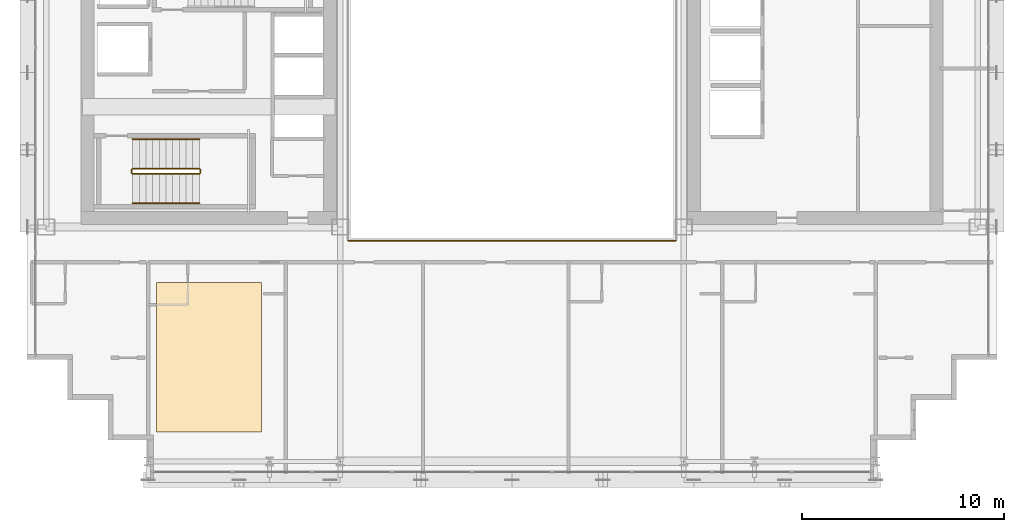
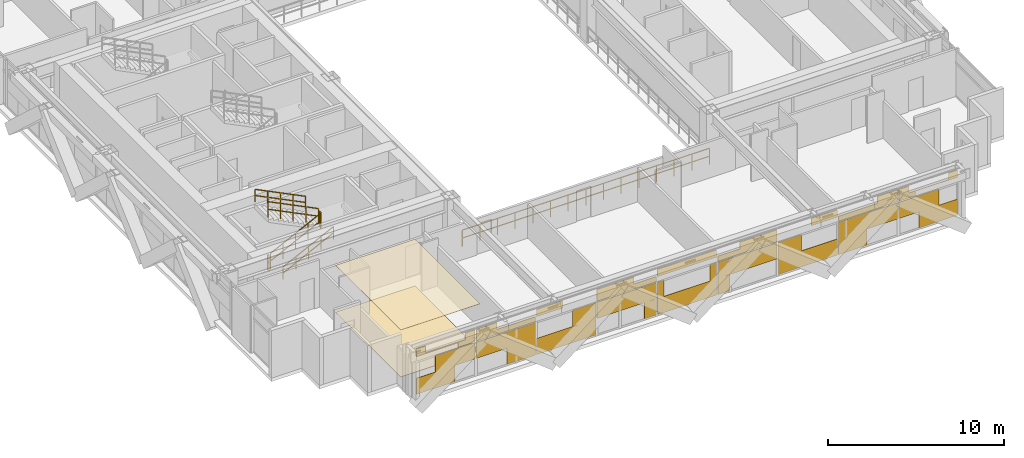
# One storey, part 33 of 36: 7 railings, 3 coverings.
"""IFC4 building model written with IfcOpenShell, lengths in metres."""

from ifc_helpers import new_model, si_unit, direction, frame, origin, origin_2d, place, context, subcontext, project, spatial, polyline, rectangle, outline, extrude, material, layer, layer_set, type_object, element, save


model = new_model("IFC4")

# Units and contexts
model_context = context("Model", 3, precision=1e-05, world=origin(), true_north=direction((0.0, 1.0)))
body_context = subcontext(model_context, "Body", "Model", "MODEL_VIEW")
ifc_project = project(units=[si_unit("LENGTHUNIT", "METRE"), si_unit("AREAUNIT", "SQUARE_METRE"), si_unit("VOLUMEUNIT", "CUBIC_METRE"), si_unit("PLANEANGLEUNIT", "RADIAN"), si_unit("MASSUNIT", "GRAM", prefix="KILO")], contexts=[model_context])

# Site, building, storey
site_placement = place(None, origin())
site = spatial("IfcSite", under=ifc_project, at=site_placement, CompositionType="ELEMENT")
building_placement = place(site_placement, origin())
building = spatial("IfcBuilding", under=site, at=building_placement, Name="Ocotamira Hotel", CompositionType="ELEMENT")
storey_placement = place(building_placement, frame((0.0, 0.0, 147.60009765625)))
storey = spatial("IfcBuildingStorey", under=building, at=storey_placement, Name="L37", CompositionType="ELEMENT", Elevation=147.60009765625)

# Coverings
ifc_material_1 = material(Name="Perforated acoustic gypsum ceiling board", Category="gypsum")
ifc_layer_1 = layer(ifc_material_1, 0.02490234375)
ifc_layer_set_1 = layer_set([ifc_layer_1], Name="Perforated acoustic gypsum ceiling board")
covering_type_1 = type_object("IfcCoveringType", Name="COV-CEIL-25", PredefinedType="CEILING", material=ifc_layer_set_1)
covering_1_placement = place(storey_placement, frame((0.0, 0.0, 3.2548828125)))
element("IfcCovering", 1, at=covering_1_placement, inside=storey, type_object=covering_type_1, Name="L37 Acoustic Ceiling", PredefinedType="CEILING", context=body_context, shape_type="SweptSolid", body=[
    extrude(outline(polyline([(14.39990234375, 4.39990234375), (19.60009765625, 4.39990234375), (19.60009765625, 11.800048828125), (14.39990234375, 11.800048828125), (14.39990234375, 4.39990234375)])), origin(), (0.0, 0.0, 1.0), 0.02490234375),
])
ifc_material_2 = material(Name="Honed desert travertine stone flooring", Category="masonry")
ifc_layer_2 = layer(ifc_material_2, 0.030029296875)
ifc_layer_set_2 = layer_set([ifc_layer_2], Name="Honed desert travertine stone flooring")
covering_type_2 = type_object("IfcCoveringType", Name="COV-FLOR-30", PredefinedType="FLOORING", material=ifc_layer_set_2)
covering_2_placement = place(storey_placement, origin())
element("IfcCovering", 2, at=covering_2_placement, inside=storey, type_object=covering_type_2, Name="L37 Honed Stone Floor Finish", PredefinedType="FLOORING", context=body_context, shape_type="SweptSolid", body=[
    extrude(outline(polyline([(14.39990234375, 4.39990234375), (19.60009765625, 4.39990234375), (19.60009765625, 11.800048828125), (14.39990234375, 11.800048828125), (14.39990234375, 4.39990234375)])), origin(), (0.0, 0.0, 1.0), 0.02978515625),
])
ifc_material_3 = material(Name="Insulated pale-metal aluminium spandrel panel", Category="aluminium")
ifc_layer_3 = layer(ifc_material_3, 0.044921875)
ifc_layer_set_3 = layer_set([ifc_layer_3], Name="Insulated pale-metal aluminium spandrel panel")
covering_type_3 = type_object("IfcCoveringType", Name="COV-INFILL-45", PredefinedType="CLADDING", material=ifc_layer_set_3)
covering_3_placement = place(storey_placement, origin())
element("IfcCovering", 3, at=covering_3_placement, inside=storey, type_object=covering_type_3, Name="L37 Curtain Wall Infill CW-3 CW-L37-S1", PredefinedType="CLADDING", context=body_context, shape_type="SweptSolid", body=[
    extrude(rectangle(XDim=2.520751953125, YDim=0.044921875, at=origin_2d()), frame((15.541015625, 2.419921875, 0.075439453125), z_axis=(0.0, 0.0, 1.0), x_axis=(1.0, 0.0, 0.0)), (0.0, 0.0, 1.0), 1.11767578125),
    extrude(rectangle(XDim=2.611328125, YDim=0.044921875, at=origin_2d()), frame((16.809326171875, 2.419921875, 1.19384765625), z_axis=(0.0, 0.0, 1.0), x_axis=(1.0, 0.0, 0.0)), (0.0, 0.0, 1.0), 1.117919921875),
    extrude(rectangle(XDim=3.834716796875, YDim=0.044921875, at=origin_2d()), frame((16.19775390625, 2.419921875, 2.703125), z_axis=(0.0, 0.0, 1.0), x_axis=(1.0, 0.0, 0.0)), (0.0, 0.0, 1.0), 0.026611328125),
    extrude(rectangle(XDim=0.57470703125, YDim=0.044921875, at=origin_2d()), frame((14.56787109375, 2.419921875, 2.730712890625), z_axis=(0.0, 0.0, 1.0), x_axis=(1.0, 0.0, 0.0)), (0.0, 0.0, 1.0), 0.4736328125),
    extrude(rectangle(XDim=1.085205078125, YDim=0.044921875, at=origin_2d()), frame((17.572509765625, 2.419921875, 2.3876953125), z_axis=(0.0, 0.0, 1.0), x_axis=(1.0, 0.0, 0.0)), (0.0, 0.0, 1.0), 0.314208984375),
    extrude(rectangle(XDim=0.64697265625, YDim=0.044921875, at=origin_2d()), frame((17.79150390625, 2.419921875, 2.730712890625), z_axis=(0.0, 0.0, 1.0), x_axis=(1.0, 0.0, 0.0)), (0.0, 0.0, 1.0), 0.4736328125),
    extrude(rectangle(XDim=3.87451171875, YDim=0.044921875, at=origin_2d()), frame((20.13330078125, 2.419921875, 1.19384765625), z_axis=(0.0, 0.0, 1.0), x_axis=(1.0, 0.0, 0.0)), (0.0, 0.0, 1.0), 1.117919921875),
    extrude(rectangle(XDim=1.871826171875, YDim=0.044921875, at=origin_2d()), frame((21.134765625, 2.419921875, 0.075439453125), z_axis=(0.0, 0.0, 1.0), x_axis=(1.0, 0.0, 0.0)), (0.0, 0.0, 1.0), 1.11767578125),
    extrude(rectangle(XDim=3.87451171875, YDim=0.044921875, at=origin_2d()), frame((20.13330078125, 2.419921875, 2.387939453125), z_axis=(0.0, 0.0, 1.0), x_axis=(1.0, 0.0, 0.0)), (0.0, 0.0, 1.0), 0.341796875),
    extrude(rectangle(XDim=1.335693359375, YDim=0.044921875, at=origin_2d()), frame((18.864013671875, 2.419921875, 2.730712890625), z_axis=(0.0, 0.0, 1.0), x_axis=(1.0, 0.0, 0.0)), (0.0, 0.0, 1.0), 0.4736328125),
    extrude(rectangle(XDim=3.87451171875, YDim=0.044921875, at=origin_2d()), frame((24.0888671875, 2.419921875, 0.075439453125), z_axis=(0.0, 0.0, 1.0), x_axis=(1.0, 0.0, 0.0)), (0.0, 0.0, 1.0), 1.11767578125),
    extrude(rectangle(XDim=1.5224609375, YDim=0.044921875, at=origin_2d()), frame((25.264892578125, 2.419921875, 1.19384765625), z_axis=(0.0, 0.0, 1.0), x_axis=(1.0, 0.0, 0.0)), (0.0, 0.0, 1.0), 1.117919921875),
    extrude(rectangle(XDim=1.70361328125, YDim=0.044921875, at=origin_2d()), frame((23.00341796875, 2.419921875, 2.703125), z_axis=(0.0, 0.0, 1.0), x_axis=(1.0, 0.0, 0.0)), (0.0, 0.0, 1.0), 0.501220703125),
    extrude(rectangle(XDim=3.87451171875, YDim=0.044921875, at=origin_2d()), frame((28.04443359375, 2.419921875, 1.19384765625), z_axis=(0.0, 0.0, 1.0), x_axis=(1.0, 0.0, 0.0)), (0.0, 0.0, 1.0), 1.117919921875),
    extrude(rectangle(XDim=0.782958984375, YDim=0.044921875, at=origin_2d()), frame((29.590087890625, 2.419921875, 0.075439453125), z_axis=(0.0, 0.0, 1.0), x_axis=(1.0, 0.0, 0.0)), (0.0, 0.0, 1.0), 1.11767578125),
    extrude(rectangle(XDim=3.87451171875, YDim=0.044921875, at=origin_2d()), frame((28.04443359375, 2.419921875, 2.387939453125), z_axis=(0.0, 0.0, 1.0), x_axis=(1.0, 0.0, 0.0)), (0.0, 0.0, 1.0), 0.341796875),
    extrude(rectangle(XDim=2.424560546875, YDim=0.044921875, at=origin_2d()), frame((27.319580078125, 2.419921875, 2.730712890625), z_axis=(0.0, 0.0, 1.0), x_axis=(1.0, 0.0, 0.0)), (0.0, 0.0, 1.0), 0.4736328125),
    extrude(rectangle(XDim=3.87451171875, YDim=0.044921875, at=origin_2d()), frame((32.0, 2.419921875, 0.075439453125), z_axis=(0.0, 0.0, 1.0), x_axis=(1.0, 0.0, 0.0)), (0.0, 0.0, 1.0), 1.11767578125),
    extrude(rectangle(XDim=0.43359375, YDim=0.044921875, at=origin_2d()), frame((30.279541015625, 2.419921875, 1.19384765625), z_axis=(0.0, 0.0, 1.0), x_axis=(1.0, 0.0, 0.0)), (0.0, 0.0, 1.0), 1.117919921875),
    extrude(rectangle(XDim=0.43359375, YDim=0.044921875, at=origin_2d()), frame((33.720458984375, 2.419921875, 1.19384765625), z_axis=(0.0, 0.0, 1.0), x_axis=(1.0, 0.0, 0.0)), (0.0, 0.0, 1.0), 1.117919921875),
    extrude(rectangle(XDim=3.87451171875, YDim=0.044921875, at=origin_2d()), frame((32.0, 2.419921875, 2.703125), z_axis=(0.0, 0.0, 1.0), x_axis=(1.0, 0.0, 0.0)), (0.0, 0.0, 1.0), 0.501220703125),
    extrude(rectangle(XDim=0.782958984375, YDim=0.044921875, at=origin_2d()), frame((34.409912109375, 2.419921875, 0.075439453125), z_axis=(0.0, 0.0, 1.0), x_axis=(1.0, 0.0, 0.0)), (0.0, 0.0, 1.0), 1.11767578125),
    extrude(rectangle(XDim=3.87451171875, YDim=0.044921875, at=origin_2d()), frame((35.95556640625, 2.419921875, 1.19384765625), z_axis=(0.0, 0.0, 1.0), x_axis=(1.0, 0.0, 0.0)), (0.0, 0.0, 1.0), 1.117919921875),
    extrude(rectangle(XDim=3.87451171875, YDim=0.044921875, at=origin_2d()), frame((35.95556640625, 2.419921875, 2.387939453125), z_axis=(0.0, 0.0, 1.0), x_axis=(1.0, 0.0, 0.0)), (0.0, 0.0, 1.0), 0.341796875),
    extrude(rectangle(XDim=2.424560546875, YDim=0.044921875, at=origin_2d()), frame((36.680419921875, 2.419921875, 2.730712890625), z_axis=(0.0, 0.0, 1.0), x_axis=(1.0, 0.0, 0.0)), (0.0, 0.0, 1.0), 0.4736328125),
    extrude(rectangle(XDim=3.87451171875, YDim=0.044921875, at=origin_2d()), frame((39.9111328125, 2.419921875, 0.075439453125), z_axis=(0.0, 0.0, 1.0), x_axis=(1.0, 0.0, 0.0)), (0.0, 0.0, 1.0), 1.11767578125),
    extrude(rectangle(XDim=1.5224609375, YDim=0.044921875, at=origin_2d()), frame((38.735107421875, 2.419921875, 1.19384765625), z_axis=(0.0, 0.0, 1.0), x_axis=(1.0, 0.0, 0.0)), (0.0, 0.0, 1.0), 1.117919921875),
    extrude(rectangle(XDim=1.70361328125, YDim=0.044921875, at=origin_2d()), frame((40.99658203125, 2.419921875, 2.703125), z_axis=(0.0, 0.0, 1.0), x_axis=(1.0, 0.0, 0.0)), (0.0, 0.0, 1.0), 0.501220703125),
    extrude(rectangle(XDim=1.871826171875, YDim=0.044921875, at=origin_2d()), frame((42.865234375, 2.419921875, 0.075439453125), z_axis=(0.0, 0.0, 1.0), x_axis=(1.0, 0.0, 0.0)), (0.0, 0.0, 1.0), 1.11767578125),
    extrude(rectangle(XDim=3.87451171875, YDim=0.044921875, at=origin_2d()), frame((43.86669921875, 2.419921875, 1.19384765625), z_axis=(0.0, 0.0, 1.0), x_axis=(1.0, 0.0, 0.0)), (0.0, 0.0, 1.0), 1.117919921875),
    extrude(rectangle(XDim=3.87451171875, YDim=0.044921875, at=origin_2d()), frame((43.86669921875, 2.419921875, 2.387939453125), z_axis=(0.0, 0.0, 1.0), x_axis=(1.0, 0.0, 0.0)), (0.0, 0.0, 1.0), 0.341796875),
    extrude(rectangle(XDim=1.335693359375, YDim=0.044921875, at=origin_2d()), frame((45.135986328125, 2.419921875, 2.730712890625), z_axis=(0.0, 0.0, 1.0), x_axis=(1.0, 0.0, 0.0)), (0.0, 0.0, 1.0), 0.4736328125),
    extrude(rectangle(XDim=2.611328125, YDim=0.044921875, at=origin_2d()), frame((47.190673828125, 2.419921875, 1.19384765625), z_axis=(0.0, 0.0, 1.0), x_axis=(1.0, 0.0, 0.0)), (0.0, 0.0, 1.0), 1.117919921875),
    extrude(rectangle(XDim=2.520751953125, YDim=0.044921875, at=origin_2d()), frame((48.458984375, 2.419921875, 0.075439453125), z_axis=(0.0, 0.0, 1.0), x_axis=(1.0, 0.0, 0.0)), (0.0, 0.0, 1.0), 1.11767578125),
    extrude(rectangle(XDim=1.085205078125, YDim=0.044921875, at=origin_2d()), frame((46.427490234375, 2.419921875, 2.3876953125), z_axis=(0.0, 0.0, 1.0), x_axis=(1.0, 0.0, 0.0)), (0.0, 0.0, 1.0), 0.314208984375),
    extrude(rectangle(XDim=3.834716796875, YDim=0.044921875, at=origin_2d()), frame((47.80224609375, 2.419921875, 2.703125), z_axis=(0.0, 0.0, 1.0), x_axis=(1.0, 0.0, 0.0)), (0.0, 0.0, 1.0), 0.026611328125),
    extrude(rectangle(XDim=0.64697265625, YDim=0.044921875, at=origin_2d()), frame((46.20849609375, 2.419921875, 2.730712890625), z_axis=(0.0, 0.0, 1.0), x_axis=(1.0, 0.0, 0.0)), (0.0, 0.0, 1.0), 0.4736328125),
    extrude(rectangle(XDim=0.57470703125, YDim=0.044921875, at=origin_2d()), frame((49.43212890625, 2.419921875, 2.730712890625), z_axis=(0.0, 0.0, 1.0), x_axis=(1.0, 0.0, 0.0)), (0.0, 0.0, 1.0), 0.4736328125),
])

# Railings
ifc_material_4 = material(Name="Painted steel stair guardrail", Category="steel")
railing_type_1 = type_object("IfcRailingType", Name="RL-EDGE-1150", PredefinedType="GUARDRAIL", material=ifc_material_4)
railing_1_placement = place(storey_placement, frame((23.89990234375, 13.8798828125, 0.0)))
element("IfcRailing", 4, at=railing_1_placement, inside=storey, type_object=railing_type_1, Name="L37 Central Atrium Edge Guardrail S", PredefinedType="GUARDRAIL", context=body_context, shape_type="SweptSolid", body=[
    extrude(rectangle(XDim=0.048095703125, YDim=0.048095703125, at=origin_2d()), frame((0.0, 0.0, 1.1259765625), z_axis=(1.0, 0.0, 0.0), x_axis=(0.0, 1.0, 0.0)), (0.0, 0.0, 1.0), 16.2001953125),
    extrude(rectangle(XDim=0.048095703125, YDim=0.048095703125, at=origin_2d()), frame((0.0, 0.0, 0.574951171875), z_axis=(1.0, 0.0, 0.0), x_axis=(0.0, 1.0, 0.0)), (0.0, 0.0, 1.0), 16.2001953125),
    extrude(rectangle(XDim=0.0419921875, YDim=0.0419921875, at=origin_2d()), origin(), (0.0, 0.0, 1.0), 1.101806640625),
    extrude(rectangle(XDim=0.0419921875, YDim=0.0419921875, at=origin_2d()), frame((1.1572265625, 0.0, 0.0)), (0.0, 0.0, 1.0), 1.101806640625),
    extrude(rectangle(XDim=0.0419921875, YDim=0.0419921875, at=origin_2d()), frame((2.314208984375, 0.0, 0.0)), (0.0, 0.0, 1.0), 1.101806640625),
    extrude(rectangle(XDim=0.0419921875, YDim=0.0419921875, at=origin_2d()), frame((3.471435546875, 0.0, 0.0)), (0.0, 0.0, 1.0), 1.101806640625),
    extrude(rectangle(XDim=0.0419921875, YDim=0.0419921875, at=origin_2d()), frame((4.628662109375, 0.0, 0.0)), (0.0, 0.0, 1.0), 1.101806640625),
    extrude(rectangle(XDim=0.0419921875, YDim=0.0419921875, at=origin_2d()), frame((5.785888671875, 0.0, 0.0)), (0.0, 0.0, 1.0), 1.101806640625),
    extrude(rectangle(XDim=0.0419921875, YDim=0.0419921875, at=origin_2d()), frame((6.94287109375, 0.0, 0.0)), (0.0, 0.0, 1.0), 1.101806640625),
    extrude(rectangle(XDim=0.0419921875, YDim=0.0419921875, at=origin_2d()), frame((8.10009765625, 0.0, 0.0)), (0.0, 0.0, 1.0), 1.101806640625),
    extrude(rectangle(XDim=0.0419921875, YDim=0.0419921875, at=origin_2d()), frame((9.25732421875, 0.0, 0.0)), (0.0, 0.0, 1.0), 1.101806640625),
    extrude(rectangle(XDim=0.0419921875, YDim=0.0419921875, at=origin_2d()), frame((10.414306640625, 0.0, 0.0)), (0.0, 0.0, 1.0), 1.101806640625),
    extrude(rectangle(XDim=0.0419921875, YDim=0.0419921875, at=origin_2d()), frame((11.571533203125, 0.0, 0.0)), (0.0, 0.0, 1.0), 1.101806640625),
    extrude(rectangle(XDim=0.0419921875, YDim=0.0419921875, at=origin_2d()), frame((12.728759765625, 0.0, 0.0)), (0.0, 0.0, 1.0), 1.101806640625),
    extrude(rectangle(XDim=0.0419921875, YDim=0.0419921875, at=origin_2d()), frame((13.885986328125, 0.0, 0.0)), (0.0, 0.0, 1.0), 1.101806640625),
    extrude(rectangle(XDim=0.0419921875, YDim=0.0419921875, at=origin_2d()), frame((15.04296875, 0.0, 0.0)), (0.0, 0.0, 1.0), 1.101806640625),
    extrude(rectangle(XDim=0.0419921875, YDim=0.0419921875, at=origin_2d()), frame((16.2001953125, 0.0, 0.0)), (0.0, 0.0, 1.0), 1.101806640625),
])
ifc_material_5 = material(Name="Brushed stainless steel handrail", Category="steel")
railing_type_2 = type_object("IfcRailingType", Name="RL-HAND-900", PredefinedType="HANDRAIL", material=ifc_material_5)
railing_2_placement = place(storey_placement, frame((13.22998046875, 15.719970703125, 0.3271484375)))
element("IfcRailing", 5, at=railing_2_placement, inside=storey, type_object=railing_type_2, Name="L37 ST-1 stair handrail 1", PredefinedType="HANDRAIL", context=body_context, shape_type="SweptSolid", body=[
    extrude(rectangle(XDim=0.048095703125, YDim=0.048095703125, at=origin_2d()), frame((0.0, 0.0, 0.8759765625), z_axis=(0.895893744519, 0.0, 0.4442683857), x_axis=(0.0, 1.0, 0.0)), (0.0, 0.0, 1.0), 3.68359375),
    extrude(rectangle(XDim=0.048095703125, YDim=0.048095703125, at=origin_2d()), frame((0.0, 0.0, 0.449951171875), z_axis=(0.895893744519, 0.0, 0.4442683857), x_axis=(0.0, 1.0, 0.0)), (0.0, 0.0, 1.0), 3.68359375),
    extrude(rectangle(XDim=0.0419921875, YDim=0.0419921875, at=origin_2d()), origin(), (0.0, 0.0, 1.0), 0.851806640625),
    extrude(rectangle(XDim=0.0419921875, YDim=0.0419921875, at=origin_2d()), frame((0.824951171875, 0.0, 0.4091796875)), (0.0, 0.0, 1.0), 0.851806640625),
    extrude(rectangle(XDim=0.0419921875, YDim=0.0419921875, at=origin_2d()), frame((1.64990234375, 0.0, 0.818359375)), (0.0, 0.0, 1.0), 0.851806640625),
    extrude(rectangle(XDim=0.0419921875, YDim=0.0419921875, at=origin_2d()), frame((2.47509765625, 0.0, 1.227294921875)), (0.0, 0.0, 1.0), 0.851806640625),
    extrude(rectangle(XDim=0.0419921875, YDim=0.0419921875, at=origin_2d()), frame((3.300048828125, 0.0, 1.636474609375)), (0.0, 0.0, 1.0), 0.851806640625),
])
railing_3_placement = place(storey_placement, frame((16.530029296875, 18.89990234375, 2.127197265625)))
element("IfcRailing", 6, at=railing_3_placement, inside=storey, type_object=railing_type_2, Name="L37 ST-1 stair handrail 2", PredefinedType="HANDRAIL", context=body_context, shape_type="SweptSolid", body=[
    extrude(rectangle(XDim=0.048095703125, YDim=0.048095703125, at=origin_2d()), frame((0.0, 0.0, 0.8759765625), z_axis=(-0.895920123917, 0.0, 0.444215186098), x_axis=(0.0, -1.0, 0.0)), (0.0, 0.0, 1.0), 3.683349609375),
    extrude(rectangle(XDim=0.048095703125, YDim=0.048095703125, at=origin_2d()), frame((0.0, 0.0, 0.449951171875), z_axis=(-0.895920123917, 0.0, 0.444215186098), x_axis=(0.0, -1.0, 0.0)), (0.0, 0.0, 1.0), 3.683349609375),
    extrude(rectangle(XDim=0.0419921875, YDim=0.0419921875, at=origin_2d()), origin(), (0.0, 0.0, 1.0), 0.851806640625),
    extrude(rectangle(XDim=0.0419921875, YDim=0.0419921875, at=origin_2d()), frame((-0.824951171875, 0.0, 0.4091796875)), (0.0, 0.0, 1.0), 0.851806640625),
    extrude(rectangle(XDim=0.0419921875, YDim=0.0419921875, at=origin_2d()), frame((-1.64990234375, 0.0, 0.818115234375)), (0.0, 0.0, 1.0), 0.851806640625),
    extrude(rectangle(XDim=0.0419921875, YDim=0.0419921875, at=origin_2d()), frame((-2.47509765625, 0.0, 1.22705078125)), (0.0, 0.0, 1.0), 0.851806640625),
    extrude(rectangle(XDim=0.0419921875, YDim=0.0419921875, at=origin_2d()), frame((-3.300048828125, 0.0, 1.63623046875)), (0.0, 0.0, 1.0), 0.851806640625),
])
railing_type_3 = type_object("IfcRailingType", Name="RL-STAIR-1100", PredefinedType="GUARDRAIL", material=ifc_material_4)
railing_4_placement = place(storey_placement, frame((13.22998046875, 17.179931640625, 0.16357421875)))
element("IfcRailing", 7, at=railing_4_placement, inside=storey, type_object=railing_type_3, Name="L37 ST-1 stair guard 1", PredefinedType="GUARDRAIL", context=body_context, shape_type="SweptSolid", body=[
    extrude(rectangle(XDim=0.048095703125, YDim=0.048095703125, at=origin_2d()), frame((0.0, 0.0, 1.076171875), z_axis=(0.895920123917, 0.0, 0.444215186098), x_axis=(0.0, 1.0, 0.0)), (0.0, 0.0, 1.0), 3.683349609375),
    extrude(rectangle(XDim=0.048095703125, YDim=0.048095703125, at=origin_2d()), frame((0.0, 0.0, 0.550048828125), z_axis=(0.895920123917, 0.0, 0.444215186098), x_axis=(0.0, 1.0, 0.0)), (0.0, 0.0, 1.0), 3.683349609375),
    extrude(rectangle(XDim=0.0419921875, YDim=0.0419921875, at=origin_2d()), origin(), (0.0, 0.0, 1.0), 1.052001953125),
    extrude(rectangle(XDim=0.0419921875, YDim=0.0419921875, at=origin_2d()), frame((0.824951171875, 0.0, 0.4091796875)), (0.0, 0.0, 1.0), 1.052001953125),
    extrude(rectangle(XDim=0.0419921875, YDim=0.0419921875, at=origin_2d()), frame((1.64990234375, 0.0, 0.818115234375)), (0.0, 0.0, 1.0), 1.052001953125),
    extrude(rectangle(XDim=0.0419921875, YDim=0.0419921875, at=origin_2d()), frame((2.47509765625, 0.0, 1.22705078125)), (0.0, 0.0, 1.0), 1.052001953125),
    extrude(rectangle(XDim=0.0419921875, YDim=0.0419921875, at=origin_2d()), frame((3.300048828125, 0.0, 1.63623046875)), (0.0, 0.0, 1.0), 1.052001953125),
])
railing_5_placement = place(storey_placement, frame((16.580078125, 17.22998046875, 1.7998046875)))
element("IfcRailing", 8, at=railing_5_placement, inside=storey, type_object=railing_type_3, Name="L37 ST-1 stair guard 2", PredefinedType="GUARDRAIL", context=body_context, shape_type="SweptSolid", body=[
    extrude(rectangle(XDim=0.048095703125, YDim=0.048095703125, at=origin_2d()), frame((0.0, 0.0, 1.076171875), z_axis=(0.0, 1.0, 0.0), x_axis=(-1.0, 0.0, 0.0)), (0.0, 0.0, 1.0), 0.159912109375),
    extrude(rectangle(XDim=0.048095703125, YDim=0.048095703125, at=origin_2d()), frame((0.0, 0.0, 0.550048828125), z_axis=(0.0, 1.0, 0.0), x_axis=(-1.0, 0.0, 0.0)), (0.0, 0.0, 1.0), 0.159912109375),
    extrude(rectangle(XDim=0.0419921875, YDim=0.0419921875, at=origin_2d()), origin(), (0.0, 0.0, 1.0), 1.052001953125),
    extrude(rectangle(XDim=0.0419921875, YDim=0.0419921875, at=origin_2d()), frame((0.0, 0.159912109375, 0.0)), (0.0, 0.0, 1.0), 1.052001953125),
])
railing_6_placement = place(storey_placement, frame((16.530029296875, 17.43994140625, 1.963623046875)))
element("IfcRailing", 9, at=railing_6_placement, inside=storey, type_object=railing_type_3, Name="L37 ST-1 stair guard 3", PredefinedType="GUARDRAIL", context=body_context, shape_type="SweptSolid", body=[
    extrude(rectangle(XDim=0.048095703125, YDim=0.048095703125, at=origin_2d()), frame((0.0, 0.0, 1.076171875), z_axis=(-0.895920123917, 0.0, 0.444215186098), x_axis=(0.0, -1.0, 0.0)), (0.0, 0.0, 1.0), 3.683349609375),
    extrude(rectangle(XDim=0.048095703125, YDim=0.048095703125, at=origin_2d()), frame((0.0, 0.0, 0.550048828125), z_axis=(-0.895920123917, 0.0, 0.444215186098), x_axis=(0.0, -1.0, 0.0)), (0.0, 0.0, 1.0), 3.683349609375),
    extrude(rectangle(XDim=0.0419921875, YDim=0.0419921875, at=origin_2d()), origin(), (0.0, 0.0, 1.0), 1.052001953125),
    extrude(rectangle(XDim=0.0419921875, YDim=0.0419921875, at=origin_2d()), frame((-0.824951171875, 0.0, 0.4091796875)), (0.0, 0.0, 1.0), 1.052001953125),
    extrude(rectangle(XDim=0.0419921875, YDim=0.0419921875, at=origin_2d()), frame((-1.64990234375, 0.0, 0.818115234375)), (0.0, 0.0, 1.0), 1.052001953125),
    extrude(rectangle(XDim=0.0419921875, YDim=0.0419921875, at=origin_2d()), frame((-2.47509765625, 0.0, 1.22705078125)), (0.0, 0.0, 1.0), 1.052001953125),
    extrude(rectangle(XDim=0.0419921875, YDim=0.0419921875, at=origin_2d()), frame((-3.300048828125, 0.0, 1.63623046875)), (0.0, 0.0, 1.0), 1.052001953125),
])
railing_7_placement = place(storey_placement, frame((13.179931640625, 17.22998046875, 0.0)))
element("IfcRailing", 10, at=railing_7_placement, inside=storey, type_object=railing_type_3, Name="L37 ST-1 stair guard 4", PredefinedType="GUARDRAIL", context=body_context, shape_type="SweptSolid", body=[
    extrude(rectangle(XDim=0.048095703125, YDim=0.048095703125, at=origin_2d()), frame((0.0, 0.0, 1.076171875), z_axis=(0.0, 1.0, 0.0), x_axis=(-1.0, 0.0, 0.0)), (0.0, 0.0, 1.0), 0.159912109375),
    extrude(rectangle(XDim=0.048095703125, YDim=0.048095703125, at=origin_2d()), frame((0.0, 0.0, 0.550048828125), z_axis=(0.0, 1.0, 0.0), x_axis=(-1.0, 0.0, 0.0)), (0.0, 0.0, 1.0), 0.159912109375),
    extrude(rectangle(XDim=0.0419921875, YDim=0.0419921875, at=origin_2d()), origin(), (0.0, 0.0, 1.0), 1.052001953125),
    extrude(rectangle(XDim=0.0419921875, YDim=0.0419921875, at=origin_2d()), frame((0.0, 0.159912109375, 0.0)), (0.0, 0.0, 1.0), 1.052001953125),
])

save(model, "model.ifc")
